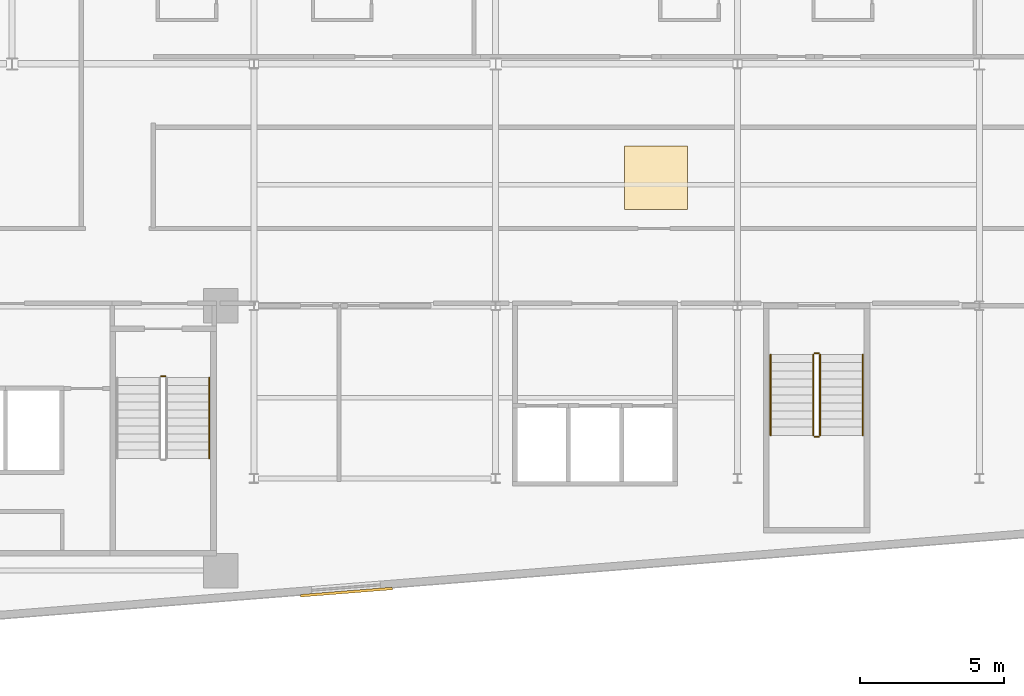
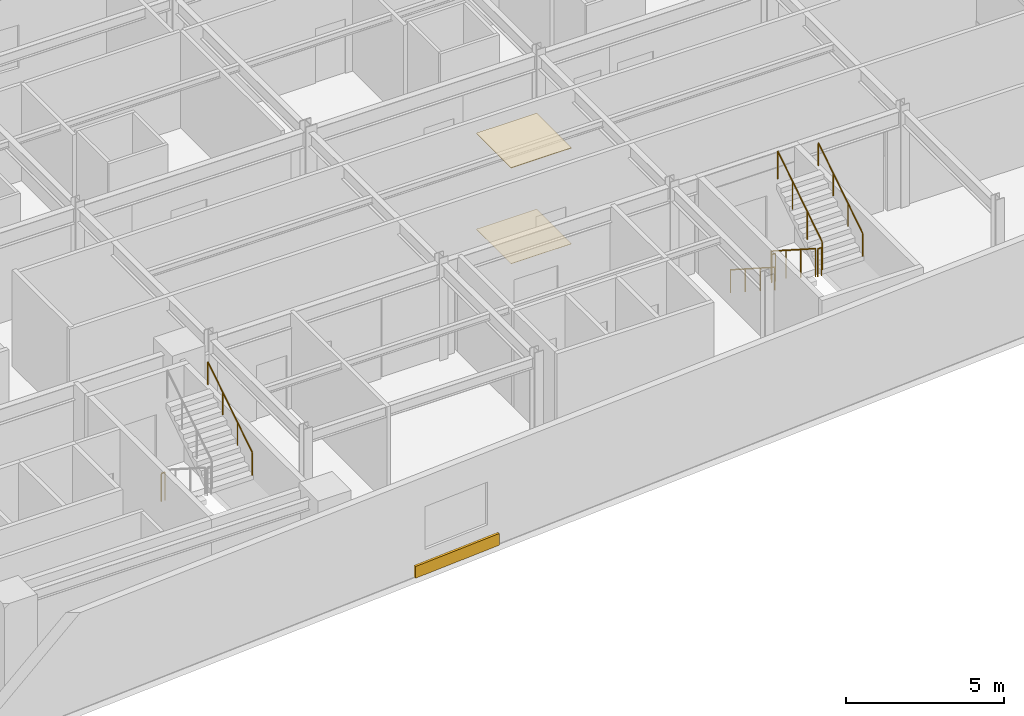
# One storey, part 15 of 18: 8 railings, 3 coverings.
"""IFC4 building model written with IfcOpenShell, lengths in metres."""

import ifcopenshell
import ifcopenshell.guid

model = None  # the IFC model being written
_history = None  # IfcOwnerHistory: only IFC2X3 demands one
_inside = {}  # id of a spatial element -> (the spatial element, [elements in it])
_under = {}  # id of a project, library or spatial element -> (it, [spatial elements below it])
_declared = {}  # id of a project -> (the project, [libraries it declares])
_typed = {}  # id of a type object -> (the type object, [elements of that type])
_made_of = {}  # id of a material, layer set ... -> (it, [elements and type objects made of it])


def new_model(schema):
    """Start an empty IFC model of exactly this schema.

    Asked for "IFC4X3", IfcOpenShell would pick the latest addendum, in which some entities
    have other attributes; the version numbers below select the first issue.
    IFC2X3 requires an IfcOwnerHistory on every rooted entity: one is made here for all.
    """
    global model, _history
    if schema == "IFC4X3":
        model = ifcopenshell.file(schema_version=(4, 3, 0, 0))
    else:
        model = ifcopenshell.file(schema=schema)
    _inside.clear()
    _under.clear()
    _declared.clear()
    _typed.clear()
    _made_of.clear()
    _history = None
    if model.schema == "IFC2X3":
        org = make("IfcOrganization", Name="unknown")
        user = make(
            "IfcPersonAndOrganization",
            ThePerson=make("IfcPerson", FamilyName="unknown"),
            TheOrganization=org,
        )
        app = make(
            "IfcApplication",
            ApplicationDeveloper=org,
            Version="unknown",
            ApplicationFullName="unknown",
            ApplicationIdentifier="unknown",
        )
        _history = make(
            "IfcOwnerHistory",
            OwningUser=user,
            OwningApplication=app,
            ChangeAction="ADDED",
            CreationDate=0,
        )
    return model


def make(cls, **values):
    """One entity of the class cls with the attributes given. An attribute that is None is left unset."""
    return model.create_entity(
        cls, **{name: value for name, value in values.items() if value is not None}
    )


def rooted(cls, **values):
    """An entity with a GlobalId (a new one), such as an element, a storey or a relation."""
    return make(cls, GlobalId=ifcopenshell.guid.new(), OwnerHistory=_history, **values)


def si_unit(unit_type, name, prefix=None):
    """IfcSIUnit, for example si_unit("LENGTHUNIT", "METRE", prefix="MILLI")."""
    return make("IfcSIUnit", UnitType=unit_type, Prefix=prefix, Name=name)


def assignment(units):
    """IfcUnitAssignment: the units of a project."""
    return None if units is None else make("IfcUnitAssignment", Units=units)


def point(xyz):
    """IfcCartesianPoint."""
    return None if xyz is None else make("IfcCartesianPoint", Coordinates=xyz)


def direction(xyz):
    """IfcDirection."""
    return None if xyz is None else make("IfcDirection", DirectionRatios=xyz)


def frame(location, z_axis=None, x_axis=None):
    """IfcAxis2Placement3D, a coordinate frame: its origin and axes. An axis left out is left unset."""
    return make(
        "IfcAxis2Placement3D",
        Location=point(location),
        Axis=direction(z_axis),
        RefDirection=direction(x_axis),
    )


def frame_2d(location, x_axis=None):
    """IfcAxis2Placement2D, a coordinate frame in the plane: its origin and x axis."""
    return make(
        "IfcAxis2Placement2D", Location=point(location), RefDirection=direction(x_axis)
    )


def origin():
    """The frame at (0, 0, 0) with its axes left unset."""
    return frame((0.0, 0.0, 0.0))


def origin_2d():
    """The frame at (0, 0) in the plane with its x axis left unset."""
    return frame_2d((0.0, 0.0))


def place(relative_to, where):
    """IfcLocalPlacement: puts the frame where relative to a parent placement (None: the world)."""
    return make(
        "IfcLocalPlacement", PlacementRelTo=relative_to, RelativePlacement=where
    )


def context(
    kind, dimensions, precision=None, world=None, true_north=None, identifier=None
):
    """IfcGeometricRepresentationContext, for example the 3D "Model" context."""
    return make(
        "IfcGeometricRepresentationContext",
        ContextIdentifier=identifier,
        ContextType=kind,
        CoordinateSpaceDimension=dimensions,
        Precision=precision,
        WorldCoordinateSystem=world,
        TrueNorth=true_north,
    )


def subcontext(parent, identifier, kind, view, scale=None):
    """IfcGeometricRepresentationSubContext, for example "Body" below "Model"."""
    return make(
        "IfcGeometricRepresentationSubContext",
        ContextIdentifier=identifier,
        ContextType=kind,
        ParentContext=parent,
        TargetScale=scale,
        TargetView=view,
    )


def project(units=None, contexts=None):
    """IfcProject with its units and contexts."""
    return rooted(
        "IfcProject",
        Name="project",
        RepresentationContexts=contexts,
        UnitsInContext=assignment(units),
    )


def spatial(cls, under=None, at=None, **own):
    """A site, building, storey or space (cls), placed at a placement, below another one or the project."""
    s = rooted(cls, ObjectPlacement=at, **own)
    if under is not None:
        _under.setdefault(under.id(), (under, []))[1].append(s)
    return s


def profile(cls, at=None, kind="AREA", **sizes):
    """A parametric profile (cls). Its sizes go by their IFC names, for example OverallWidth=200.0."""
    return make(cls, ProfileType=kind, Position=at, **sizes)


def rectangle(**sizes):
    """IfcRectangleProfileDef."""
    return profile("IfcRectangleProfileDef", **sizes)


def circle(**sizes):
    """IfcCircleProfileDef."""
    return profile("IfcCircleProfileDef", **sizes)


def extrude(swept, where, along, depth):
    """IfcExtrudedAreaSolid: the profile swept, set in the frame where, extruded along a direction by depth."""
    return make(
        "IfcExtrudedAreaSolid",
        SweptArea=swept,
        Position=where,
        ExtrudedDirection=direction(along),
        Depth=depth,
    )


def shape(context_of_items, identifier, shape_type, items):
    """IfcShapeRepresentation: the items that make up one representation, for example the "Body"."""
    return make(
        "IfcShapeRepresentation",
        ContextOfItems=context_of_items,
        RepresentationIdentifier=identifier,
        RepresentationType=shape_type,
        Items=items,
    )


def material(Name=None, Category=None):
    """IfcMaterial."""
    return make("IfcMaterial", Name=Name, Category=Category)


def layer(
    of_material, thickness, ventilated=None, Name=None, Category=None, Priority=None
):
    """IfcMaterialLayer: one layer of a wall or slab, of a material (None: an air gap)."""
    return make(
        "IfcMaterialLayer",
        Material=of_material,
        LayerThickness=thickness,
        IsVentilated=ventilated,
        Name=Name,
        Category=Category,
        Priority=Priority,
    )


def layer_set(layers, Name=None):
    """IfcMaterialLayerSet."""
    return make("IfcMaterialLayerSet", MaterialLayers=layers, LayerSetName=Name)


def made_of(thing, what):
    """Note that an element or type object is made of a material, layer set ...; save() writes the relation."""
    if what is not None:
        _made_of.setdefault(what.id(), (what, []))[1].append(thing)
    return thing


def type_object(cls, material=None, **own):
    """A type object (cls), such as IfcWallType, which elements share."""
    return made_of(rooted(cls, **own), material)


def element(
    cls,
    number,
    at=None,
    inside=None,
    cuts=None,
    type_object=None,
    material=None,
    context=None,
    identifier="Body",
    shape_type=None,
    held_by="IfcProductDefinitionShape",
    body=None,
    shapes=None,
    **own,
):
    """One element of the class cls, such as IfcWall. Its Tag is "e" and its number.

    at: its placement. inside: the storey or other place that contains it. cuts: it is an
    opening in that element (IfcRelVoidsElement). A single representation is given by context,
    identifier, shape_type and body (its items); several are given by shapes. held_by: the class
    of the entity that holds the representations. save() writes the other relations.
    """
    e = rooted(cls, Tag="e%d" % number, ObjectPlacement=at, **own)
    if body is not None:
        shapes = [shape(context, identifier, shape_type, body)]
    if shapes is not None:
        e.Representation = make(held_by, Representations=shapes)
    if inside is not None:
        _inside.setdefault(inside.id(), (inside, []))[1].append(e)
    if cuts is not None:
        rooted(
            "IfcRelVoidsElement", RelatingBuildingElement=cuts, RelatedOpeningElement=e
        )
    if type_object is not None:
        _typed.setdefault(type_object.id(), (type_object, []))[1].append(e)
    return made_of(e, material)


def aggregate(whole, parts):
    """IfcRelAggregates: a whole, such as a stair, and the parts it consists of."""
    return rooted("IfcRelAggregates", RelatingObject=whole, RelatedObjects=parts)


def save(model, path):
    """Write the relations noted so far, then the file.

    IfcRelAggregates (storeys below a building ...), IfcRelContainedInSpatialStructure (elements
    in a storey), IfcRelDefinesByType, IfcRelAssociatesMaterial and IfcRelDeclares: one each for
    every whole, place, type object, material and project.
    """
    for whole, parts in _under.values():
        aggregate(whole, parts)
    for where, things in _inside.values():
        rooted(
            "IfcRelContainedInSpatialStructure",
            RelatedElements=things,
            RelatingStructure=where,
        )
    for kind, things in _typed.values():
        rooted("IfcRelDefinesByType", RelatedObjects=things, RelatingType=kind)
    for what, things in _made_of.values():
        rooted("IfcRelAssociatesMaterial", RelatedObjects=things, RelatingMaterial=what)
    for by, libraries in _declared.values():
        rooted("IfcRelDeclares", RelatingContext=by, RelatedDefinitions=libraries)
    model.write(path)


model = new_model("IFC4")

# Units and contexts
model_context = context("Model", 3, precision=1e-05, world=origin(), true_north=direction((0.0, 1.0)))
body_context = subcontext(model_context, "Body", "Model", "MODEL_VIEW")
ifc_project = project(units=[si_unit("LENGTHUNIT", "METRE"), si_unit("AREAUNIT", "SQUARE_METRE"), si_unit("VOLUMEUNIT", "CUBIC_METRE"), si_unit("PLANEANGLEUNIT", "RADIAN"), si_unit("MASSUNIT", "GRAM", prefix="KILO")], contexts=[model_context])

# Site, building, storey
site_placement = place(None, origin())
site = spatial("IfcSite", under=ifc_project, at=site_placement, CompositionType="ELEMENT")
building_placement = place(site_placement, origin())
building = spatial("IfcBuilding", under=site, at=building_placement, Name="Varnakote Quay Hospital", CompositionType="ELEMENT")
storey_placement = place(building_placement, frame((0.0, 0.0, 138.89990234375)))
storey = spatial("IfcBuildingStorey", under=building, at=storey_placement, Name="L34", CompositionType="ELEMENT", Elevation=138.89990234375)

# Coverings
ifc_material_1 = material(Name="Kiln-fired red brick architectural cladding", Category="masonry")
ifc_layer_1 = layer(ifc_material_1, 0.090087890625)
ifc_layer_set_1 = layer_set([ifc_layer_1], Name="Kiln-fired red brick architectural cladding")
covering_type_1 = type_object("IfcCoveringType", Name="COV-BRICK-CLAD-90", PredefinedType="CLADDING", material=ifc_layer_set_1)
covering_1_placement = place(storey_placement, frame((28.41259765625, 2.051025390625, 0.0), z_axis=(0.0, 0.0, 1.0), x_axis=(0.996862316013, 0.079155056145, 0.0)))
element("IfcCovering", 1, at=covering_1_placement, inside=storey, type_object=covering_type_1, Name="L34 Kiln-Brick Precast Spandrel Cladding Band", PredefinedType="CLADDING", context=body_context, shape_type="SweptSolid", body=[
    extrude(rectangle(XDim=3.199951171875, YDim=0.090087890625, at=origin_2d()), origin(), (0.0, 0.0, 1.0), 0.449951171875),
])
ifc_material_2 = material(Name="Antimicrobial acoustic mineral ceiling tile", Category="gypsum")
ifc_layer_2 = layer(ifc_material_2, 0.02490234375)
ifc_layer_set_2 = layer_set([ifc_layer_2], Name="Antimicrobial acoustic mineral ceiling tile")
covering_type_2 = type_object("IfcCoveringType", Name="COV-CLIN-CEIL-25", PredefinedType="CEILING", material=ifc_layer_set_2)
covering_2_placement = place(storey_placement, frame((39.169921875, 16.43994140625, 3.68505859375), z_axis=(0.0, 0.0, 1.0), x_axis=(1.0, 0.0, 0.0)))
element("IfcCovering", 2, at=covering_2_placement, inside=storey, type_object=covering_type_2, Name="L34 Antimicrobial Acoustic Ceiling Tile", PredefinedType="CEILING", context=body_context, shape_type="SweptSolid", body=[
    extrude(rectangle(XDim=2.199951171875, YDim=2.199951171875, at=origin_2d()), origin(), (0.0, 0.0, 1.0), 0.02490234375),
])
ifc_material_3 = material(Name="Seamless clinical sheet vinyl flooring")
ifc_layer_3 = layer(ifc_material_3, 0.011962890625)
ifc_layer_set_3 = layer_set([ifc_layer_3], Name="Seamless clinical sheet vinyl flooring")
covering_type_3 = type_object("IfcCoveringType", Name="COV-CLIN-VINYL-12", PredefinedType="FLOORING", material=ifc_layer_set_3)
covering_3_placement = place(storey_placement, frame((39.169921875, 16.43994140625, 0.0), z_axis=(0.0, 0.0, 1.0), x_axis=(1.0, 0.0, 0.0)))
element("IfcCovering", 3, at=covering_3_placement, inside=storey, type_object=covering_type_3, Name="L34 Seamless Clinical Vinyl Flooring", PredefinedType="FLOORING", context=body_context, shape_type="SweptSolid", body=[
    extrude(rectangle(XDim=2.199951171875, YDim=2.199951171875, at=origin_2d()), origin(), (0.0, 0.0, 1.0), 0.011962890625),
])

# Railings
ifc_material_4 = material(Name="Brushed stainless steel balustrade", Category="steel")
railing_type_1 = type_object("IfcRailingType", Name="RLG-STAIR-GUARD-1150", PredefinedType="GUARDRAIL", material=ifc_material_4)
railing_1_placement = place(storey_placement, frame((21.97998046875, 9.550048828125, 0.0)))
element("IfcRailing", 4, at=railing_1_placement, inside=storey, type_object=railing_type_1, Name="L34 ST-02 stair guard 4", PredefinedType="GUARDRAIL", context=body_context, shape_type="SweptSolid", body=[
    extrude(circle(Radius=0.02392578125, at=origin_2d()), frame((0.0, 0.0, 1.076171875), z_axis=(1.0, 0.0, 0.0), x_axis=(0.0, 1.0, 0.0)), (0.0, 0.0, 1.0), 0.14013671875),
    extrude(circle(Radius=0.02099609375, at=origin_2d()), origin(), (0.0, 0.0, 1.0), 1.052001953125),
    extrude(circle(Radius=0.02099609375, at=origin_2d()), frame((0.14013671875, 0.0, 0.0)), (0.0, 0.0, 1.0), 1.052001953125),
])
railing_2_placement = place(storey_placement, frame((44.6298828125, 10.300048828125, 0.1796875)))
element("IfcRailing", 5, at=railing_2_placement, inside=storey, type_object=railing_type_1, Name="L34 ST-03 stair guard 1", PredefinedType="GUARDRAIL", context=body_context, shape_type="SweptSolid", body=[
    extrude(circle(Radius=0.02392578125, at=origin_2d()), frame((0.0, 0.0, 1.076171875), z_axis=(0.0, -0.841809871826, 0.539774156196), x_axis=(1.0, 0.0, 0.0)), (0.0, 0.0, 1.0), 3.326171875),
    extrude(circle(Radius=0.02099609375, at=origin_2d()), origin(), (0.0, 0.0, 1.0), 1.052001953125),
    extrude(circle(Radius=0.02099609375, at=origin_2d()), frame((0.0, -0.933349609375, 0.598388671875)), (0.0, 0.0, 1.0), 1.052001953125),
    extrude(circle(Radius=0.02099609375, at=origin_2d()), frame((0.0, -1.86669921875, 1.197021484375)), (0.0, 0.0, 1.0), 1.052001953125),
    extrude(circle(Radius=0.02099609375, at=origin_2d()), frame((0.0, -2.800048828125, 1.79541015625)), (0.0, 0.0, 1.0), 1.052001953125),
])
railing_3_placement = place(storey_placement, frame((44.679931640625, 7.449951171875, 1.97509765625)))
element("IfcRailing", 6, at=railing_3_placement, inside=storey, type_object=railing_type_1, Name="L34 ST-03 stair guard 2", PredefinedType="GUARDRAIL", context=body_context, shape_type="SweptSolid", body=[
    extrude(circle(Radius=0.02392578125, at=origin_2d()), frame((0.0, 0.0, 1.076171875), z_axis=(1.0, 0.0, 0.0), x_axis=(0.0, 1.0, 0.0)), (0.0, 0.0, 1.0), 0.14013671875),
    extrude(circle(Radius=0.02099609375, at=origin_2d()), origin(), (0.0, 0.0, 1.0), 1.052001953125),
    extrude(circle(Radius=0.02099609375, at=origin_2d()), frame((0.14013671875, 0.0, 0.0)), (0.0, 0.0, 1.0), 1.052001953125),
])
railing_4_placement = place(storey_placement, frame((44.8701171875, 7.5, 2.154541015625)))
element("IfcRailing", 7, at=railing_4_placement, inside=storey, type_object=railing_type_1, Name="L34 ST-03 stair guard 3", PredefinedType="GUARDRAIL", context=body_context, shape_type="SweptSolid", body=[
    extrude(circle(Radius=0.02392578125, at=origin_2d()), frame((0.0, 0.0, 1.076171875), z_axis=(0.0, 0.841776520102, 0.539826166654), x_axis=(-1.0, 0.0, 0.0)), (0.0, 0.0, 1.0), 3.326416015625),
    extrude(circle(Radius=0.02099609375, at=origin_2d()), origin(), (0.0, 0.0, 1.0), 1.052001953125),
    extrude(circle(Radius=0.02099609375, at=origin_2d()), frame((0.0, 0.933349609375, 0.5986328125)), (0.0, 0.0, 1.0), 1.052001953125),
    extrude(circle(Radius=0.02099609375, at=origin_2d()), frame((0.0, 1.86669921875, 1.197021484375)), (0.0, 0.0, 1.0), 1.052001953125),
    extrude(circle(Radius=0.02099609375, at=origin_2d()), frame((0.0, 2.800048828125, 1.795654296875)), (0.0, 0.0, 1.0), 1.052001953125),
])
railing_5_placement = place(storey_placement, frame((44.679931640625, 10.35009765625, 0.0)))
element("IfcRailing", 8, at=railing_5_placement, inside=storey, type_object=railing_type_1, Name="L34 ST-03 stair guard 4", PredefinedType="GUARDRAIL", context=body_context, shape_type="SweptSolid", body=[
    extrude(circle(Radius=0.02392578125, at=origin_2d()), frame((0.0, 0.0, 1.076171875), z_axis=(1.0, 0.0, 0.0), x_axis=(0.0, 1.0, 0.0)), (0.0, 0.0, 1.0), 0.14013671875),
    extrude(circle(Radius=0.02099609375, at=origin_2d()), origin(), (0.0, 0.0, 1.0), 1.052001953125),
    extrude(circle(Radius=0.02099609375, at=origin_2d()), frame((0.14013671875, 0.0, 0.0)), (0.0, 0.0, 1.0), 1.052001953125),
])
ifc_material_5 = material(Name="Brushed stainless steel handrail", Category="steel")
railing_type_2 = type_object("IfcRailingType", Name="RLG-STAIR-HND-920", PredefinedType="HANDRAIL", material=ifc_material_5)
railing_6_placement = place(storey_placement, frame((23.64990234375, 6.699951171875, 2.154541015625)))
element("IfcRailing", 9, at=railing_6_placement, inside=storey, type_object=railing_type_2, Name="L34 ST-02 stair handrail 2", PredefinedType="HANDRAIL", context=body_context, shape_type="SweptSolid", body=[
    extrude(circle(Radius=0.02392578125, at=origin_2d()), frame((0.0, 0.0, 0.8759765625), z_axis=(0.0, 0.841776520102, 0.539826166654), x_axis=(-1.0, 0.0, 0.0)), (0.0, 0.0, 1.0), 3.326416015625),
    extrude(circle(Radius=0.02099609375, at=origin_2d()), origin(), (0.0, 0.0, 1.0), 0.851806640625),
    extrude(circle(Radius=0.02099609375, at=origin_2d()), frame((0.0, 0.933349609375, 0.5986328125)), (0.0, 0.0, 1.0), 0.851806640625),
    extrude(circle(Radius=0.02099609375, at=origin_2d()), frame((0.0, 1.86669921875, 1.197021484375)), (0.0, 0.0, 1.0), 0.851806640625),
    extrude(circle(Radius=0.02099609375, at=origin_2d()), frame((0.0, 2.800048828125, 1.795654296875)), (0.0, 0.0, 1.0), 0.851806640625),
])
railing_7_placement = place(storey_placement, frame((43.14990234375, 10.300048828125, 0.1796875)))
element("IfcRailing", 10, at=railing_7_placement, inside=storey, type_object=railing_type_2, Name="L34 ST-03 stair handrail 1", PredefinedType="HANDRAIL", context=body_context, shape_type="SweptSolid", body=[
    extrude(circle(Radius=0.02392578125, at=origin_2d()), frame((0.0, 0.0, 0.8759765625), z_axis=(0.0, -0.841809871826, 0.539774156196), x_axis=(1.0, 0.0, 0.0)), (0.0, 0.0, 1.0), 3.326171875),
    extrude(circle(Radius=0.02099609375, at=origin_2d()), origin(), (0.0, 0.0, 1.0), 0.851806640625),
    extrude(circle(Radius=0.02099609375, at=origin_2d()), frame((0.0, -0.933349609375, 0.598388671875)), (0.0, 0.0, 1.0), 0.851806640625),
    extrude(circle(Radius=0.02099609375, at=origin_2d()), frame((0.0, -1.86669921875, 1.197021484375)), (0.0, 0.0, 1.0), 0.851806640625),
    extrude(circle(Radius=0.02099609375, at=origin_2d()), frame((0.0, -2.800048828125, 1.79541015625)), (0.0, 0.0, 1.0), 0.851806640625),
])
railing_8_placement = place(storey_placement, frame((46.35009765625, 7.5, 2.154541015625)))
element("IfcRailing", 11, at=railing_8_placement, inside=storey, type_object=railing_type_2, Name="L34 ST-03 stair handrail 2", PredefinedType="HANDRAIL", context=body_context, shape_type="SweptSolid", body=[
    extrude(circle(Radius=0.02392578125, at=origin_2d()), frame((0.0, 0.0, 0.8759765625), z_axis=(0.0, 0.841776520102, 0.539826166654), x_axis=(-1.0, 0.0, 0.0)), (0.0, 0.0, 1.0), 3.326416015625),
    extrude(circle(Radius=0.02099609375, at=origin_2d()), origin(), (0.0, 0.0, 1.0), 0.851806640625),
    extrude(circle(Radius=0.02099609375, at=origin_2d()), frame((0.0, 0.933349609375, 0.5986328125)), (0.0, 0.0, 1.0), 0.851806640625),
    extrude(circle(Radius=0.02099609375, at=origin_2d()), frame((0.0, 1.86669921875, 1.197021484375)), (0.0, 0.0, 1.0), 0.851806640625),
    extrude(circle(Radius=0.02099609375, at=origin_2d()), frame((0.0, 2.800048828125, 1.795654296875)), (0.0, 0.0, 1.0), 0.851806640625),
])

save(model, "model.ifc")
